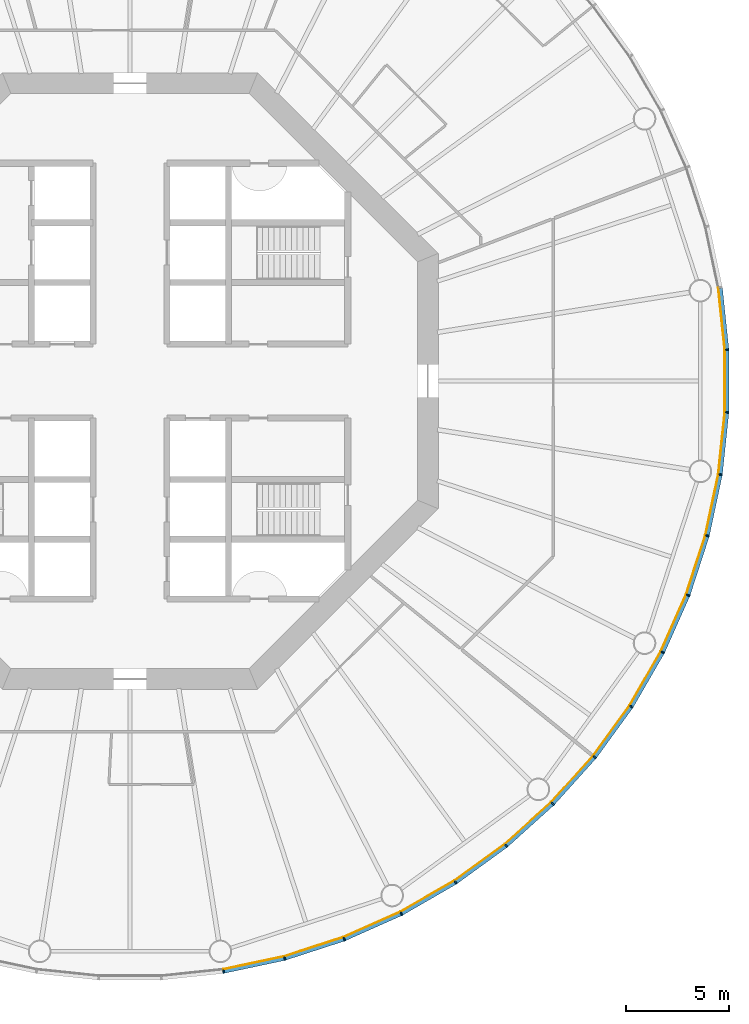
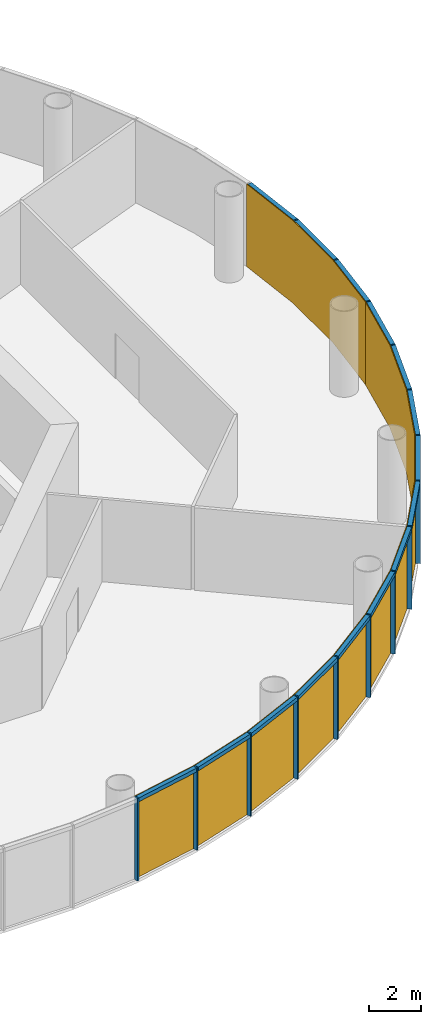
# One storey, part 8 of 12: 30 members, 5 curtain walls.
"""IFC4 building model written with IfcOpenShell, lengths in metres."""

from ifc_helpers import new_model, si_unit, direction, frame, origin, origin_2d, place, context, subcontext, project, spatial, polyline, rectangle, outline, extrude, material, layer, layer_set, material_profile, profile_set, type_object, element, aggregate, save


model = new_model("IFC4")

# Units and contexts
model_context = context("Model", 3, precision=1e-05, world=origin(), true_north=direction((0.0, 1.0)))
body_context = subcontext(model_context, "Body", "Model", "MODEL_VIEW")
ifc_project = project(units=[si_unit("LENGTHUNIT", "METRE"), si_unit("AREAUNIT", "SQUARE_METRE"), si_unit("VOLUMEUNIT", "CUBIC_METRE"), si_unit("PLANEANGLEUNIT", "RADIAN"), si_unit("MASSUNIT", "GRAM", prefix="KILO")], contexts=[model_context])

# Member
ifc_material_1 = material(Name="Anodised aluminium", Category="aluminium")
ifc_material_profile_1 = material_profile(ifc_material_1, rectangle(XDim=0.06494140625, YDim=0.18505859375, at=origin_2d()), Name="Mullion 65 x 185 mm anodised aluminium")
ifc_profile_set_1 = profile_set([ifc_material_profile_1], Name="Anodised aluminium")
member_type_1 = type_object("IfcMemberType", Name="Mullion 65 x 185 mm anodised aluminium", PredefinedType="MULLION", material=ifc_profile_set_1)
site_placement = place(None, origin())
building_placement = place(site_placement, origin())
storey_placement = place(building_placement, frame((0.0, 0.0, 192.0)))
member_1_placement = place(storey_placement, frame((94.551025390625, 51.265625, 0.0), z_axis=(0.0, 0.0, 1.0), x_axis=(0.987688340595, 0.15643446504, 0.0)))
member_1 = element("IfcMember", 1, at=member_1_placement, type_object=member_type_1, Name="MULLION L44-45", PredefinedType="MULLION", context=body_context, shape_type="SweptSolid", body=[
    extrude(rectangle(XDim=0.06494140625, YDim=0.18505859375, at=origin_2d()), origin(), (0.0, 0.0, 1.0), 3.85009765625),
])

member_2_placement = place(storey_placement, frame((97.52978515625, 51.898681640625, 0.0), z_axis=(0.0, 0.0, 1.0), x_axis=(0.965925826289, 0.258819045103, 0.0)))
member_2 = element("IfcMember", 2, at=member_2_placement, type_object=member_type_1, Name="MULLION L44-46", PredefinedType="MULLION", context=body_context, shape_type="SweptSolid", body=[
    extrude(rectangle(XDim=0.06494140625, YDim=0.18505859375, at=origin_2d()), origin(), (0.0, 0.0, 1.0), 3.85009765625),
])

member_3_placement = place(storey_placement, frame((100.42578125, 52.83984375, 0.0), z_axis=(0.0, 0.0, 1.0), x_axis=(0.933580426497, 0.358367949545, 0.0)))
member_3 = element("IfcMember", 3, at=member_3_placement, type_object=member_type_1, Name="MULLION L44-47", PredefinedType="MULLION", context=body_context, shape_type="SweptSolid", body=[
    extrude(rectangle(XDim=0.06494140625, YDim=0.18505859375, at=origin_2d()), origin(), (0.0, 0.0, 1.0), 3.85009765625),
])

member_4_placement = place(storey_placement, frame((103.207763671875, 54.078369140625, 0.0), z_axis=(0.0, 0.0, 1.0), x_axis=(0.891006524188, 0.45399049974, 0.0)))
member_4 = element("IfcMember", 4, at=member_4_placement, type_object=member_type_1, Name="MULLION L44-48", PredefinedType="MULLION", context=body_context, shape_type="SweptSolid", body=[
    extrude(rectangle(XDim=0.06494140625, YDim=0.18505859375, at=origin_2d()), origin(), (0.0, 0.0, 1.0), 3.85009765625),
])

member_5_placement = place(storey_placement, frame((105.844970703125, 55.60107421875, 0.0), z_axis=(0.0, 0.0, 1.0), x_axis=(0.838670567945, 0.544639035015, 0.0)))
member_5 = element("IfcMember", 5, at=member_5_placement, type_object=member_type_1, Name="MULLION L44-49", PredefinedType="MULLION", context=body_context, shape_type="SweptSolid", body=[
    extrude(rectangle(XDim=0.06494140625, YDim=0.18505859375, at=origin_2d()), origin(), (0.0, 0.0, 1.0), 3.85009765625),
])

member_6_placement = place(storey_placement, frame((108.30859375, 57.390869140625, 0.0), z_axis=(0.0, 0.0, 1.0), x_axis=(0.777145961457, 0.62932039105, 0.0)))
member_6 = element("IfcMember", 6, at=member_6_placement, type_object=member_type_1, Name="MULLION L44-50", PredefinedType="MULLION", context=body_context, shape_type="SweptSolid", body=[
    extrude(rectangle(XDim=0.06494140625, YDim=0.18505859375, at=origin_2d()), origin(), (0.0, 0.0, 1.0), 3.85009765625),
])

member_7_placement = place(storey_placement, frame((110.571533203125, 59.428466796875, 0.0), z_axis=(0.0, 0.0, 1.0), x_axis=(0.707106781187, 0.707106781187, 0.0)))
member_7 = element("IfcMember", 7, at=member_7_placement, type_object=member_type_1, Name="MULLION L44-51", PredefinedType="MULLION", context=body_context, shape_type="SweptSolid", body=[
    extrude(rectangle(XDim=0.06494140625, YDim=0.18505859375, at=origin_2d()), origin(), (0.0, 0.0, 1.0), 3.85009765625),
])

member_8_placement = place(storey_placement, frame((112.609130859375, 61.69140625, 0.0), z_axis=(0.0, 0.0, 1.0), x_axis=(0.62932039105, 0.777145961457, 0.0)))
member_8 = element("IfcMember", 8, at=member_8_placement, type_object=member_type_1, Name="MULLION L44-52", PredefinedType="MULLION", context=body_context, shape_type="SweptSolid", body=[
    extrude(rectangle(XDim=0.06494140625, YDim=0.18505859375, at=origin_2d()), origin(), (0.0, 0.0, 1.0), 3.85009765625),
])

member_9_placement = place(storey_placement, frame((114.39892578125, 64.155029296875, 0.0), z_axis=(0.0, 0.0, 1.0), x_axis=(0.544639035015, 0.838670567945, 0.0)))
member_9 = element("IfcMember", 9, at=member_9_placement, type_object=member_type_1, Name="MULLION L44-53", PredefinedType="MULLION", context=body_context, shape_type="SweptSolid", body=[
    extrude(rectangle(XDim=0.06494140625, YDim=0.18505859375, at=origin_2d()), origin(), (0.0, 0.0, 1.0), 3.85009765625),
])

member_10_placement = place(storey_placement, frame((115.921630859375, 66.792236328125, 0.0), z_axis=(0.0, 0.0, 1.0), x_axis=(0.45399049974, 0.891006524188, 0.0)))
member_10 = element("IfcMember", 10, at=member_10_placement, type_object=member_type_1, Name="MULLION L44-54", PredefinedType="MULLION", context=body_context, shape_type="SweptSolid", body=[
    extrude(rectangle(XDim=0.06494140625, YDim=0.18505859375, at=origin_2d()), origin(), (0.0, 0.0, 1.0), 3.85009765625),
])

member_11_placement = place(storey_placement, frame((117.16015625, 69.57421875, 0.0), z_axis=(0.0, 0.0, 1.0), x_axis=(0.358367949545, 0.933580426497, 0.0)))
member_11 = element("IfcMember", 11, at=member_11_placement, type_object=member_type_1, Name="MULLION L44-55", PredefinedType="MULLION", context=body_context, shape_type="SweptSolid", body=[
    extrude(rectangle(XDim=0.06494140625, YDim=0.18505859375, at=origin_2d()), origin(), (0.0, 0.0, 1.0), 3.85009765625),
])

member_12_placement = place(storey_placement, frame((118.101318359375, 72.47021484375, 0.0), z_axis=(0.0, 0.0, 1.0), x_axis=(0.258819045103, 0.965925826289, 0.0)))
member_12 = element("IfcMember", 12, at=member_12_placement, type_object=member_type_1, Name="MULLION L44-56", PredefinedType="MULLION", context=body_context, shape_type="SweptSolid", body=[
    extrude(rectangle(XDim=0.06494140625, YDim=0.18505859375, at=origin_2d()), origin(), (0.0, 0.0, 1.0), 3.85009765625),
])

member_13_placement = place(storey_placement, frame((118.734375, 75.448974609375, 0.0), z_axis=(0.0, 0.0, 1.0), x_axis=(0.15643446504, 0.987688340595, 0.0)))
member_13 = element("IfcMember", 13, at=member_13_placement, type_object=member_type_1, Name="MULLION L44-57", PredefinedType="MULLION", context=body_context, shape_type="SweptSolid", body=[
    extrude(rectangle(XDim=0.06494140625, YDim=0.18505859375, at=origin_2d()), origin(), (0.0, 0.0, 1.0), 3.85009765625),
])

member_14_placement = place(storey_placement, frame((119.052734375, 78.477294921875, 0.0), z_axis=(0.0, 0.0, 1.0), x_axis=(0.052335956243, 0.998629534755, 0.0)))
member_14 = element("IfcMember", 14, at=member_14_placement, type_object=member_type_1, Name="MULLION L44-58", PredefinedType="MULLION", context=body_context, shape_type="SweptSolid", body=[
    extrude(rectangle(XDim=0.06494140625, YDim=0.18505859375, at=origin_2d()), origin(), (0.0, 0.0, 1.0), 3.85009765625),
])

member_15_placement = place(storey_placement, frame((119.052734375, 81.522705078125, 0.0), z_axis=(0.0, 0.0, 1.0), x_axis=(-0.052335956243, 0.998629534755, 0.0)))
member_15 = element("IfcMember", 15, at=member_15_placement, type_object=member_type_1, Name="MULLION L44-59", PredefinedType="MULLION", context=body_context, shape_type="SweptSolid", body=[
    extrude(rectangle(XDim=0.06494140625, YDim=0.18505859375, at=origin_2d()), origin(), (0.0, 0.0, 1.0), 3.85009765625),
])

ifc_material_2 = material(Name="Anodised aluminium", Category="aluminium")
ifc_material_profile_2 = material_profile(ifc_material_2, rectangle(XDim=0.18505859375, YDim=0.175048828125, at=origin_2d()), Name="Transom 175 x 185 mm anodised aluminium")
ifc_profile_set_2 = profile_set([ifc_material_profile_2], Name="Anodised aluminium")
member_type_2 = type_object("IfcMemberType", Name="Transom 175 x 185 mm anodised aluminium", PredefinedType="USERDEFINED", material=ifc_profile_set_2)
member_16_placement = place(storey_placement, frame((94.587646484375, 51.2734375, 3.762451171875), z_axis=(0.97815822425, 0.207861704825, 0.0), x_axis=(-0.207861704825, 0.97815822425, 0.0)))
member_16 = element("IfcMember", 16, at=member_16_placement, type_object=member_type_2, Name="TRANSOM L44-45", ObjectType="TRANSOM", PredefinedType="USERDEFINED", context=body_context, shape_type="SweptSolid", body=[
    extrude(rectangle(XDim=0.18505859375, YDim=0.175048828125, at=origin_2d()), origin(), (0.0, 0.0, 1.0), 2.970458984375),
])

member_17_placement = place(storey_placement, frame((97.565185546875, 51.91015625, 3.762451171875), z_axis=(0.951055809184, 0.30901917063, 0.0), x_axis=(-0.30901917063, 0.951055809184, 0.0)))
member_17 = element("IfcMember", 17, at=member_17_placement, type_object=member_type_2, Name="TRANSOM L44-46", ObjectType="TRANSOM", PredefinedType="USERDEFINED", context=body_context, shape_type="SweptSolid", body=[
    extrude(rectangle(XDim=0.18505859375, YDim=0.175048828125, at=origin_2d()), origin(), (0.0, 0.0, 1.0), 2.970703125),
])

member_18_placement = place(storey_placement, frame((100.4599609375, 52.85498046875, 3.762451171875), z_axis=(0.913567348806, 0.406687471156, 0.0), x_axis=(-0.406687471156, 0.913567348806, 0.0)))
member_18 = element("IfcMember", 18, at=member_18_placement, type_object=member_type_2, Name="TRANSOM L44-47", ObjectType="TRANSOM", PredefinedType="USERDEFINED", context=body_context, shape_type="SweptSolid", body=[
    extrude(rectangle(XDim=0.18505859375, YDim=0.175048828125, at=origin_2d()), origin(), (0.0, 0.0, 1.0), 2.970458984375),
])

member_19_placement = place(storey_placement, frame((103.240234375, 54.096923828125, 3.762451171875), z_axis=(0.866009025146, 0.500028367561, 0.0), x_axis=(-0.500028367561, 0.866009025146, 0.0)))
member_19 = element("IfcMember", 19, at=member_19_placement, type_object=member_type_2, Name="TRANSOM L44-48", ObjectType="TRANSOM", PredefinedType="USERDEFINED", context=body_context, shape_type="SweptSolid", body=[
    extrude(rectangle(XDim=0.18505859375, YDim=0.175048828125, at=origin_2d()), origin(), (0.0, 0.0, 1.0), 2.970458984375),
])

member_20_placement = place(storey_placement, frame((105.875244140625, 55.622802734375, 3.762451171875), z_axis=(0.808991906087, 0.587819781808, 0.0), x_axis=(-0.587819781808, 0.808991906087, 0.0)))
member_20 = element("IfcMember", 20, at=member_20_placement, type_object=member_type_2, Name="TRANSOM L44-49", ObjectType="TRANSOM", PredefinedType="USERDEFINED", context=body_context, shape_type="SweptSolid", body=[
    extrude(rectangle(XDim=0.18505859375, YDim=0.175048828125, at=origin_2d()), origin(), (0.0, 0.0, 1.0), 2.970458984375),
])

member_21_placement = place(storey_placement, frame((108.33642578125, 57.415771484375, 3.762451171875), z_axis=(0.743163354343, 0.669110027395, 0.0), x_axis=(-0.669110027395, 0.743163354343, 0.0)))
member_21 = element("IfcMember", 21, at=member_21_placement, type_object=member_type_2, Name="TRANSOM L44-50", ObjectType="TRANSOM", PredefinedType="USERDEFINED", context=body_context, shape_type="SweptSolid", body=[
    extrude(rectangle(XDim=0.18505859375, YDim=0.175048828125, at=origin_2d()), origin(), (0.0, 0.0, 1.0), 2.970458984375),
])

member_22_placement = place(storey_placement, frame((110.5966796875, 59.4560546875, 3.762451171875), z_axis=(0.669110027395, 0.743163354343, 0.0), x_axis=(-0.743163354343, 0.669110027395, 0.0)))
member_22 = element("IfcMember", 22, at=member_22_placement, type_object=member_type_2, Name="TRANSOM L44-51", ObjectType="TRANSOM", PredefinedType="USERDEFINED", context=body_context, shape_type="SweptSolid", body=[
    extrude(rectangle(XDim=0.18505859375, YDim=0.175048828125, at=origin_2d()), origin(), (0.0, 0.0, 1.0), 2.970458984375),
])

member_23_placement = place(storey_placement, frame((112.631103515625, 61.7216796875, 3.762451171875), z_axis=(0.587819781808, 0.808991906087, 0.0), x_axis=(-0.808991906087, 0.587819781808, 0.0)))
member_23 = element("IfcMember", 23, at=member_23_placement, type_object=member_type_2, Name="TRANSOM L44-52", ObjectType="TRANSOM", PredefinedType="USERDEFINED", context=body_context, shape_type="SweptSolid", body=[
    extrude(rectangle(XDim=0.18505859375, YDim=0.175048828125, at=origin_2d()), origin(), (0.0, 0.0, 1.0), 2.970458984375),
])

member_24_placement = place(storey_placement, frame((114.417724609375, 64.187255859375, 3.762451171875), z_axis=(0.500028367561, 0.866009025146, 0.0), x_axis=(-0.866009025146, 0.500028367561, 0.0)))
member_24 = element("IfcMember", 24, at=member_24_placement, type_object=member_type_2, Name="TRANSOM L44-53", ObjectType="TRANSOM", PredefinedType="USERDEFINED", context=body_context, shape_type="SweptSolid", body=[
    extrude(rectangle(XDim=0.18505859375, YDim=0.175048828125, at=origin_2d()), origin(), (0.0, 0.0, 1.0), 2.970458984375),
])

member_25_placement = place(storey_placement, frame((115.93701171875, 66.826416015625, 3.762451171875), z_axis=(0.406687471156, 0.913567348806, 0.0), x_axis=(-0.913567348806, 0.406687471156, 0.0)))
member_25 = element("IfcMember", 25, at=member_25_placement, type_object=member_type_2, Name="TRANSOM L44-54", ObjectType="TRANSOM", PredefinedType="USERDEFINED", context=body_context, shape_type="SweptSolid", body=[
    extrude(rectangle(XDim=0.18505859375, YDim=0.175048828125, at=origin_2d()), origin(), (0.0, 0.0, 1.0), 2.970458984375),
])

member_26_placement = place(storey_placement, frame((117.171875, 69.609619140625, 3.762451171875), z_axis=(0.30901917063, 0.951055809184, 0.0), x_axis=(-0.951055809184, 0.30901917063, 0.0)))
member_26 = element("IfcMember", 26, at=member_26_placement, type_object=member_type_2, Name="TRANSOM L44-55", ObjectType="TRANSOM", PredefinedType="USERDEFINED", context=body_context, shape_type="SweptSolid", body=[
    extrude(rectangle(XDim=0.18505859375, YDim=0.175048828125, at=origin_2d()), origin(), (0.0, 0.0, 1.0), 2.970703125),
])

member_27_placement = place(storey_placement, frame((118.109130859375, 72.5068359375, 3.762451171875), z_axis=(0.207861704825, 0.97815822425, 0.0), x_axis=(-0.97815822425, 0.207861704825, 0.0)))
member_27 = element("IfcMember", 27, at=member_27_placement, type_object=member_type_2, Name="TRANSOM L44-56", ObjectType="TRANSOM", PredefinedType="USERDEFINED", context=body_context, shape_type="SweptSolid", body=[
    extrude(rectangle(XDim=0.18505859375, YDim=0.175048828125, at=origin_2d()), origin(), (0.0, 0.0, 1.0), 2.970458984375),
])

member_28_placement = place(storey_placement, frame((118.73828125, 75.486083984375, 3.762451171875), z_axis=(0.104547872381, 0.994519855197, 0.0), x_axis=(-0.994519855197, 0.104547872381, 0.0)))
member_28 = element("IfcMember", 28, at=member_28_placement, type_object=member_type_2, Name="TRANSOM L44-57", ObjectType="TRANSOM", PredefinedType="USERDEFINED", context=body_context, shape_type="SweptSolid", body=[
    extrude(rectangle(XDim=0.18505859375, YDim=0.175048828125, at=origin_2d()), origin(), (0.0, 0.0, 1.0), 2.970458984375),
])

member_29_placement = place(storey_placement, frame((119.052734375, 78.5146484375, 3.762451171875), z_axis=(0.0, 1.0, 0.0), x_axis=(-1.0, 0.0, 0.0)))
member_29 = element("IfcMember", 29, at=member_29_placement, type_object=member_type_2, Name="TRANSOM L44-58", ObjectType="TRANSOM", PredefinedType="USERDEFINED", context=body_context, shape_type="SweptSolid", body=[
    extrude(rectangle(XDim=0.18505859375, YDim=0.175048828125, at=origin_2d()), origin(), (0.0, 0.0, 1.0), 2.970703125),
])

member_30_placement = place(storey_placement, frame((119.048828125, 81.559814453125, 3.762451171875), z_axis=(-0.104547872381, 0.994519855197, 0.0), x_axis=(-0.994519855197, -0.104547872381, 0.0)))
member_30 = element("IfcMember", 30, at=member_30_placement, type_object=member_type_2, Name="TRANSOM L44-59", ObjectType="TRANSOM", PredefinedType="USERDEFINED", context=body_context, shape_type="SweptSolid", body=[
    extrude(rectangle(XDim=0.18505859375, YDim=0.175048828125, at=origin_2d()), origin(), (0.0, 0.0, 1.0), 2.970458984375),
])

# Site, building, storey
site = spatial("IfcSite", under=ifc_project, at=site_placement, CompositionType="ELEMENT")
building = spatial("IfcBuilding", under=site, at=building_placement, Name="Entoto Ring Tower", CompositionType="ELEMENT")
storey = spatial("IfcBuildingStorey", under=building, at=storey_placement, Name="L44", CompositionType="ELEMENT", Elevation=192.0)

# Curtain wall
ifc_material_3 = material(Name="Clear low-iron glass", Category="glass")
ifc_layer = layer(ifc_material_3, 0.033935546875)
ifc_layer_set = layer_set([ifc_layer], Name="Clear low-iron glass")
curtain_wall_type = type_object("IfcCurtainWallType", Name="Curtain wall system CW3 glazing 34 mm", PredefinedType="NOTDEFINED", material=ifc_layer_set)
curtain_wall_1_placement = place(storey_placement, origin())
curtain_wall_1 = element("IfcCurtainWall", 31, at=curtain_wall_1_placement, inside=storey, type_object=curtain_wall_type, Name="CW3 L44-16", PredefinedType="NOTDEFINED", context=body_context, shape_type="SweptSolid", body=[
    extrude(outline(polyline([(94.53662109375, 51.35693359375), (97.505859375, 51.988037109375), (100.392578125, 52.92626953125), (103.165771484375, 54.160888671875), (103.150146484375, 54.191162109375), (100.38037109375, 52.9580078125), (97.496826171875, 52.02099609375), (94.53125, 51.390625), (94.53662109375, 51.35693359375)])), origin(), (0.0, 0.0, 1.0), 3.85009765625),
])

aggregate(curtain_wall_1, [member_1, member_2, member_3, member_16, member_17, member_18])

curtain_wall_2_placement = place(storey_placement, origin())
curtain_wall_2 = element("IfcCurtainWall", 32, at=curtain_wall_2_placement, inside=storey, type_object=curtain_wall_type, Name="CW3 L44-17", PredefinedType="NOTDEFINED", context=body_context, shape_type="SweptSolid", body=[
    extrude(outline(polyline([(103.165771484375, 54.160888671875), (105.79443359375, 55.678466796875), (108.250244140625, 57.462646484375), (110.506103515625, 59.493896484375), (110.48193359375, 59.51806640625), (108.228759765625, 57.4892578125), (105.77587890625, 55.70703125), (103.150146484375, 54.191162109375), (103.165771484375, 54.160888671875)])), origin(), (0.0, 0.0, 1.0), 3.85009765625),
])

aggregate(curtain_wall_2, [member_4, member_5, member_6, member_19, member_20, member_21])

curtain_wall_3_placement = place(storey_placement, origin())
curtain_wall_3 = element("IfcCurtainWall", 33, at=curtain_wall_3_placement, inside=storey, type_object=curtain_wall_type, Name="CW3 L44-18", PredefinedType="NOTDEFINED", context=body_context, shape_type="SweptSolid", body=[
    extrude(outline(polyline([(110.506103515625, 59.493896484375), (112.537353515625, 61.749755859375), (114.321533203125, 64.20556640625), (115.839111328125, 66.834228515625), (115.808837890625, 66.849853515625), (114.29296875, 64.22412109375), (112.5107421875, 61.771240234375), (110.48193359375, 59.51806640625), (110.506103515625, 59.493896484375)])), origin(), (0.0, 0.0, 1.0), 3.85009765625),
])

aggregate(curtain_wall_3, [member_7, member_8, member_9, member_22, member_23, member_24])

curtain_wall_4_placement = place(storey_placement, origin())
curtain_wall_4 = element("IfcCurtainWall", 34, at=curtain_wall_4_placement, inside=storey, type_object=curtain_wall_type, Name="CW3 L44-19", PredefinedType="NOTDEFINED", context=body_context, shape_type="SweptSolid", body=[
    extrude(outline(polyline([(115.839111328125, 66.834228515625), (117.07373046875, 69.607421875), (118.011962890625, 72.494140625), (118.64306640625, 75.46337890625), (118.609375, 75.46875), (117.97900390625, 72.503173828125), (117.0419921875, 69.61962890625), (115.808837890625, 66.849853515625), (115.839111328125, 66.834228515625)])), origin(), (0.0, 0.0, 1.0), 3.85009765625),
])

aggregate(curtain_wall_4, [member_10, member_11, member_12, member_25, member_26, member_27])

curtain_wall_5_placement = place(storey_placement, origin())
curtain_wall_5 = element("IfcCurtainWall", 35, at=curtain_wall_5_placement, inside=storey, type_object=curtain_wall_type, Name="CW3 L44-20", PredefinedType="NOTDEFINED", context=body_context, shape_type="SweptSolid", body=[
    extrude(outline(polyline([(118.64306640625, 75.46337890625), (118.960205078125, 78.482177734375), (118.960205078125, 81.517822265625), (118.64306640625, 84.53662109375), (118.609375, 84.53125), (118.92626953125, 81.515869140625), (118.92626953125, 78.484130859375), (118.609375, 75.46875), (118.64306640625, 75.46337890625)])), origin(), (0.0, 0.0, 1.0), 3.85009765625),
])

aggregate(curtain_wall_5, [member_13, member_14, member_15, member_28, member_29, member_30])

save(model, "model.ifc")
